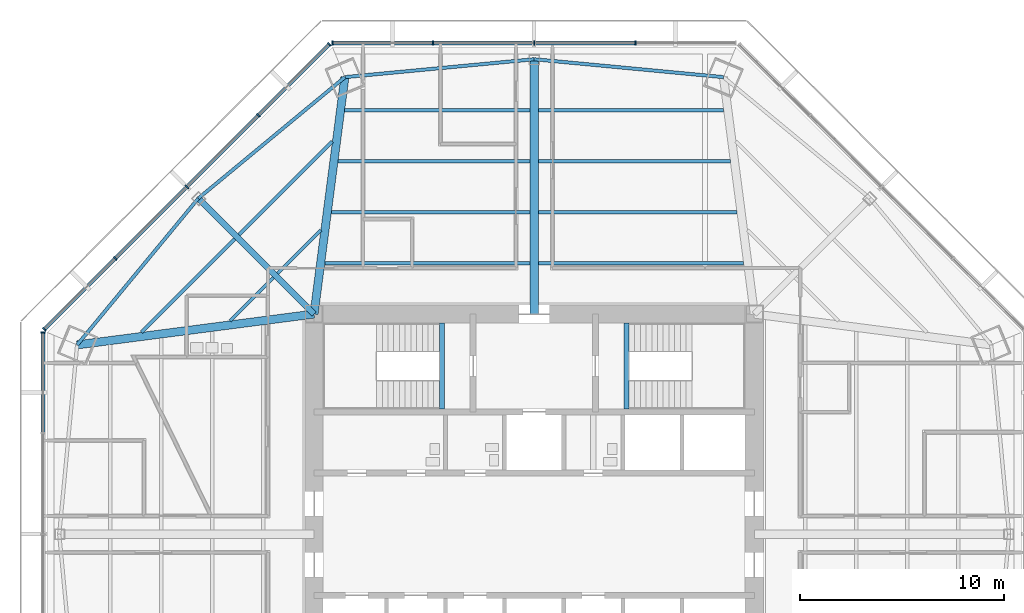
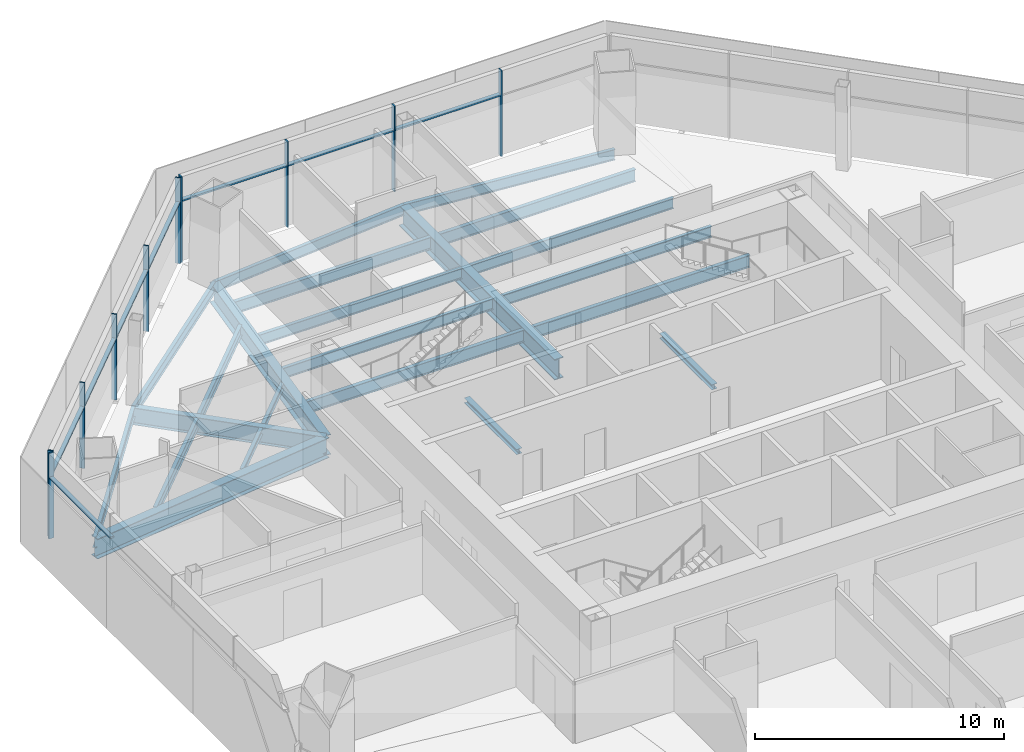
# One storey, part 5 of 14: 22 beams, 18 members, 3 elements without a shape of their own.
"""IFC4 building model written with IfcOpenShell, lengths in metres."""

from ifc_helpers import new_model, si_unit, direction, frame, origin, origin_2d, place, context, subcontext, project, spatial, rectangle, i_section, extrude, source, transform, mapped, material, material_profile, profile_set, type_object, type_shapes, element, aggregate, save


model = new_model("IFC4")

# Units and contexts
model_context = context("Model", 3, precision=1e-05, world=origin(), true_north=direction((0.0, 1.0)))
body_context = subcontext(model_context, "Body", "Model", "MODEL_VIEW")
ifc_project = project(units=[si_unit("LENGTHUNIT", "METRE"), si_unit("AREAUNIT", "SQUARE_METRE"), si_unit("VOLUMEUNIT", "CUBIC_METRE"), si_unit("PLANEANGLEUNIT", "RADIAN"), si_unit("MASSUNIT", "GRAM", prefix="KILO")], contexts=[model_context])

# Site, building, storey
site_placement = place(None, origin())
site = spatial("IfcSite", under=ifc_project, at=site_placement, CompositionType="ELEMENT")
building_placement = place(site_placement, origin())
building = spatial("IfcBuilding", under=site, at=building_placement, Name="Mashrafa Tower", CompositionType="ELEMENT")
storey_placement = place(building_placement, frame((0.0, 0.0, 138.60009765625)))
storey = spatial("IfcBuildingStorey", under=building, at=storey_placement, Name="L31", CompositionType="ELEMENT", Elevation=138.60009765625)

# Beams
ifc_material_1 = material(Name="Steel ASTM A992", Category="steel")
ifc_material_profile_1 = material_profile(ifc_material_1, i_section(OverallWidth=0.164794921875, OverallDepth=0.309814453125, WebThickness=0.005859375, FlangeThickness=0.009765625, FilletRadius=0.007568359375, at=origin_2d()), Name="W12X26")
ifc_profile_set_1 = profile_set([ifc_material_profile_1], Name="Steel ASTM A992")
beam_type_1 = type_object("IfcBeamType", Name="Beam W12X26", PredefinedType="BEAM", material=ifc_profile_set_1)
for number, where, z_axis, x_axis, name in (
    (1, (-14.916748046875, 10.46630859375, -0.320068359375), (0.707106781187, 0.707106781187, 0.0), (-0.707106781187, 0.707106781187, 0.0), "Floor beam L31 008"),
    (2, (-12.588134765625, 12.794921875, -0.320068359375), (0.707106781187, 0.707106781187, 0.0), (-0.707106781187, 0.707106781187, 0.0), "Floor beam L31 014"),
):
    element("IfcBeam", number, at=place(storey_placement, frame(where, z_axis=z_axis, x_axis=x_axis)), inside=storey, type_object=beam_type_1, Name=name, PredefinedType="BEAM", context=body_context, shape_type="SweptSolid", body=[
        extrude(i_section(OverallWidth=0.164794921875, OverallDepth=0.309814453125, WebThickness=0.005859375, FlangeThickness=0.009765625, FilletRadius=0.007568359375, at=origin_2d()), origin(), (0.0, 0.0, 1.0), 3.000732421875),
    ])
ifc_material_2 = material(Name="Steel ASTM A992", Category="steel")
ifc_material_profile_2 = material_profile(ifc_material_2, i_section(OverallWidth=0.1650390625, OverallDepth=0.52587890625, WebThickness=0.0087890625, FlangeThickness=0.011474609375, FilletRadius=0.0126953125, at=origin_2d()), Name="W21X44")
ifc_profile_set_2 = profile_set([ifc_material_profile_2], Name="Steel ASTM A992")
beam_type_2 = type_object("IfcBeamType", Name="Beam W21X44", PredefinedType="BEAM", material=ifc_profile_set_2)
for number, where, z_axis, x_axis, name in (
    (3, (-19.266357421875, 9.89990234375, -0.427978515625), (0.707125627567, 0.707087934304, 0.0), (-0.707087934304, 0.707125627567, 0.0), "Floor beam L31 003"),
    (4, (-14.479736328125, 14.686279296875, -0.427978515625), (0.707087934304, 0.707125627567, 0.0), (-0.707125627567, 0.707087934304, 0.0), "Floor beam L31 010"),
):
    element("IfcBeam", number, at=place(storey_placement, frame(where, z_axis=z_axis, x_axis=x_axis)), inside=storey, type_object=beam_type_2, Name=name, PredefinedType="BEAM", context=body_context, shape_type="SweptSolid", body=[
        extrude(i_section(OverallWidth=0.1650390625, OverallDepth=0.52587890625, WebThickness=0.0087890625, FlangeThickness=0.011474609375, FilletRadius=0.0126953125, at=origin_2d()), origin(), (0.0, 0.0, 1.0), 6.47705078125),
    ])
beam_1_placement = place(storey_placement, frame((-9.946533203125, 15.79931640625, -0.427978515625), z_axis=(1.0, 0.0, 0.0), x_axis=(0.0, 1.0, 0.0)))
element("IfcBeam", 5, at=beam_1_placement, inside=storey, type_object=beam_type_2, Name="Floor beam L31 017", PredefinedType="BEAM", context=body_context, shape_type="SweptSolid", body=[
    extrude(i_section(OverallWidth=0.1650390625, OverallDepth=0.52587890625, WebThickness=0.0087890625, FlangeThickness=0.011474609375, FilletRadius=0.0126953125, at=origin_2d()), origin(), (0.0, 0.0, 1.0), 9.745849609375),
])
beam_2_placement = place(storey_placement, frame((-9.62109375, 18.29931640625, -0.427978515625), z_axis=(1.0, 0.0, 0.0), x_axis=(0.0, 1.0, 0.0)))
element("IfcBeam", 6, at=beam_2_placement, inside=storey, type_object=beam_type_2, Name="Floor beam L31 018", PredefinedType="BEAM", context=body_context, shape_type="SweptSolid", body=[
    extrude(i_section(OverallWidth=0.1650390625, OverallDepth=0.52587890625, WebThickness=0.0087890625, FlangeThickness=0.011474609375, FilletRadius=0.0126953125, at=origin_2d()), origin(), (0.0, 0.0, 1.0), 9.42041015625),
])
beam_3_placement = place(storey_placement, frame((0.20068359375, 15.79931640625, -0.427978515625), z_axis=(1.0, 0.0, 0.0), x_axis=(0.0, 1.0, 0.0)))
element("IfcBeam", 7, at=beam_3_placement, inside=storey, type_object=beam_type_2, Name="Floor beam L31 026", PredefinedType="BEAM", context=body_context, shape_type="SweptSolid", body=[
    extrude(i_section(OverallWidth=0.1650390625, OverallDepth=0.52587890625, WebThickness=0.0087890625, FlangeThickness=0.011474609375, FilletRadius=0.0126953125, at=origin_2d()), origin(), (0.0, 0.0, 1.0), 9.745849609375),
])
beam_4_placement = place(storey_placement, frame((0.20068359375, 18.29931640625, -0.427978515625), z_axis=(1.0, 0.0, 0.0), x_axis=(0.0, 1.0, 0.0)))
element("IfcBeam", 8, at=beam_4_placement, inside=storey, type_object=beam_type_2, Name="Floor beam L31 027", PredefinedType="BEAM", context=body_context, shape_type="SweptSolid", body=[
    extrude(i_section(OverallWidth=0.1650390625, OverallDepth=0.52587890625, WebThickness=0.0087890625, FlangeThickness=0.011474609375, FilletRadius=0.0126953125, at=origin_2d()), origin(), (0.0, 0.0, 1.0), 9.42041015625),
])
for number, where, z_axis, x_axis, name in (
    (9, (-16.474609375, 16.474609375, -0.427978515625), (-0.637397366849, -0.770535266379, 0.0), (0.770535266379, -0.637397366849, 0.0), "Spandrel beam L31 069"),
    (10, (-9.286865234375, 22.42041015625, -0.427978515625), (-0.770535266379, -0.637397366849, 0.0), (0.637397366849, -0.770535266379, 0.0), "Spandrel beam L31 071"),
    (11, (0.0, 23.298583984375, -0.427978515625), (-0.995558884678, -0.094140889829, 0.0), (0.094140889829, -0.995558884678, 0.0), "Spandrel beam L31 073"),
    (12, (9.286865234375, 22.42041015625, -0.427978515625), (-0.995558884678, 0.094140889829, 0.0), (-0.094140889829, -0.995558884678, 0.0), "Spandrel beam L31 075"),
):
    element("IfcBeam", number, at=place(storey_placement, frame(where, z_axis=z_axis, x_axis=x_axis)), inside=storey, type_object=beam_type_2, Name=name, PredefinedType="BEAM", context=body_context, shape_type="SweptSolid", body=[
        extrude(i_section(OverallWidth=0.1650390625, OverallDepth=0.52587890625, WebThickness=0.0087890625, FlangeThickness=0.011474609375, FilletRadius=0.0126953125, at=origin_2d()), origin(), (0.0, 0.0, 1.0), 9.328369140625),
    ])
ifc_material_3 = material(Name="Steel ASTM A992", Category="steel")
ifc_material_profile_3 = material_profile(ifc_material_3, i_section(OverallWidth=0.177978515625, OverallDepth=0.599365234375, WebThickness=0.010009765625, FlangeThickness=0.012939453125, FilletRadius=0.012939453125, at=origin_2d()), Name="W24X55")
ifc_profile_set_3 = profile_set([ifc_material_profile_3], Name="Steel ASTM A992")
beam_type_3 = type_object("IfcBeamType", Name="Beam W24X55", PredefinedType="BEAM", material=ifc_profile_set_3)
beam_5_placement = place(storey_placement, frame((-10.272216796875, 13.2998046875, -0.46484375), z_axis=(1.0, 0.0, 0.0), x_axis=(0.0, 1.0, 0.0)))
element("IfcBeam", 13, at=beam_5_placement, inside=storey, type_object=beam_type_3, Name="Floor beam L31 015", PredefinedType="BEAM", context=body_context, shape_type="SweptSolid", body=[
    extrude(i_section(OverallWidth=0.177978515625, OverallDepth=0.599365234375, WebThickness=0.010009765625, FlangeThickness=0.012939453125, FilletRadius=0.012939453125, at=origin_2d()), origin(), (0.0, 0.0, 1.0), 10.071533203125),
])
beam_6_placement = place(storey_placement, frame((-9.295654296875, 20.798828125, -0.46484375), z_axis=(1.0, 0.0, 0.0), x_axis=(0.0, 1.0, 0.0)))
element("IfcBeam", 14, at=beam_6_placement, inside=storey, type_object=beam_type_3, Name="Floor beam L31 020", PredefinedType="BEAM", context=body_context, shape_type="SweptSolid", body=[
    extrude(i_section(OverallWidth=0.177978515625, OverallDepth=0.599365234375, WebThickness=0.010009765625, FlangeThickness=0.012939453125, FilletRadius=0.012939453125, at=origin_2d()), origin(), (0.0, 0.0, 1.0), 9.094970703125),
])
beam_7_placement = place(storey_placement, frame((0.20068359375, 13.2998046875, -0.46484375), z_axis=(1.0, 0.0, 0.0), x_axis=(0.0, 1.0, 0.0)))
element("IfcBeam", 15, at=beam_7_placement, inside=storey, type_object=beam_type_3, Name="Floor beam L31 025", PredefinedType="BEAM", context=body_context, shape_type="SweptSolid", body=[
    extrude(i_section(OverallWidth=0.177978515625, OverallDepth=0.599365234375, WebThickness=0.010009765625, FlangeThickness=0.012939453125, FilletRadius=0.012939453125, at=origin_2d()), origin(), (0.0, 0.0, 1.0), 10.071533203125),
])
beam_8_placement = place(storey_placement, frame((0.20068359375, 20.798828125, -0.46484375), z_axis=(1.0, 0.0, 0.0), x_axis=(0.0, 1.0, 0.0)))
element("IfcBeam", 16, at=beam_8_placement, inside=storey, type_object=beam_type_3, Name="Floor beam L31 028", PredefinedType="BEAM", context=body_context, shape_type="SweptSolid", body=[
    extrude(i_section(OverallWidth=0.177978515625, OverallDepth=0.599365234375, WebThickness=0.010009765625, FlangeThickness=0.012939453125, FilletRadius=0.012939453125, at=origin_2d()), origin(), (0.0, 0.0, 1.0), 9.094970703125),
])
ifc_material_4 = material(Name="Steel ASTM A992", Category="steel")
ifc_material_profile_4 = material_profile(ifc_material_4, i_section(OverallWidth=0.2919921875, OverallDepth=0.8408203125, WebThickness=0.0146484375, FlangeThickness=0.021728515625, FilletRadius=0.017333984375, at=origin_2d()), Name="W33X130")
ifc_profile_set_4 = profile_set([ifc_material_profile_4], Name="Steel ASTM A992")
beam_type_4 = type_object("IfcBeamType", Name="Beam W33X130", PredefinedType="BEAM", material=ifc_profile_set_4)
beam_9_placement = place(storey_placement, frame((-10.800048828125, 10.800048828125, -0.58544921875), z_axis=(-0.707106781187, 0.707106781187, 0.0), x_axis=(-0.707106781187, -0.707106781187, 0.0)))
element("IfcBeam", 17, at=beam_9_placement, inside=storey, type_object=beam_type_4, Name="Radial girder L31 054", PredefinedType="BEAM", context=body_context, shape_type="SweptSolid", body=[
    extrude(i_section(OverallWidth=0.2919921875, OverallDepth=0.8408203125, WebThickness=0.0146484375, FlangeThickness=0.021728515625, FilletRadius=0.017333984375, at=origin_2d()), origin(), (0.0, 0.0, 1.0), 8.025146484375),
])
ifc_material_5 = material(Name="Steel ASTM A992", Category="steel")
ifc_material_profile_5 = material_profile(ifc_material_5, i_section(OverallWidth=0.4013671875, OverallDepth=0.98291015625, WebThickness=0.0166015625, FlangeThickness=0.027099609375, FilletRadius=0.0126953125, at=origin_2d()), Name="W40X199")
ifc_profile_set_5 = profile_set([ifc_material_profile_5], Name="Steel ASTM A992")
beam_type_5 = type_object("IfcBeamType", Name="Beam W40X199", PredefinedType="BEAM", material=ifc_profile_set_5)
for number, where, z_axis, x_axis, name in (
    (18, (-10.800048828125, 10.800048828125, -0.656494140625), (-0.991627921906, -0.129128093367, 0.0), (0.129128093367, -0.991627921906, 0.0), "Radial girder L31 053"),
    (19, (-10.800048828125, 10.800048828125, -0.656494140625), (0.129128093367, 0.991627921906, 0.0), (-0.991627921906, 0.129128093367, 0.0), "Radial girder L31 055"),
):
    element("IfcBeam", number, at=place(storey_placement, frame(where, z_axis=z_axis, x_axis=x_axis)), inside=storey, type_object=beam_type_5, Name=name, PredefinedType="BEAM", context=body_context, shape_type="SweptSolid", body=[
        extrude(i_section(OverallWidth=0.4013671875, OverallDepth=0.98291015625, WebThickness=0.0166015625, FlangeThickness=0.027099609375, FilletRadius=0.0126953125, at=origin_2d()), origin(), (0.0, 0.0, 1.0), 11.718505859375),
    ])
ifc_material_6 = material(Name="Steel ASTM A992", Category="steel")
ifc_material_profile_6 = material_profile(ifc_material_6, i_section(OverallWidth=0.4013671875, OverallDepth=1.010986328125, WebThickness=0.023681640625, FlangeThickness=0.0419921875, FilletRadius=0.02001953125, at=origin_2d()), Name="W40X297")
ifc_profile_set_6 = profile_set([ifc_material_profile_6], Name="Steel ASTM A992")
beam_type_6 = type_object("IfcBeamType", Name="Beam W40X297", PredefinedType="BEAM", material=ifc_profile_set_6)
beam_10_placement = place(storey_placement, frame((0.0, 10.800048828125, -0.670654296875), z_axis=(0.0, 1.0, 0.0), x_axis=(-1.0, 0.0, 0.0)))
element("IfcBeam", 20, at=beam_10_placement, inside=storey, type_object=beam_type_6, Name="Radial girder L31 057", PredefinedType="BEAM", context=body_context, shape_type="SweptSolid", body=[
    extrude(i_section(OverallWidth=0.4013671875, OverallDepth=1.010986328125, WebThickness=0.023681640625, FlangeThickness=0.0419921875, FilletRadius=0.02001953125, at=origin_2d()), origin(), (0.0, 0.0, 1.0), 12.49853515625),
])
ifc_material_7 = material(Name="Steel ASTM A992", Category="steel")
ifc_material_profile_7 = material_profile(ifc_material_7, i_section(OverallWidth=0.25390625, OverallDepth=0.25390625, WebThickness=0.008544921875, FlangeThickness=0.01416015625, FilletRadius=0.010009765625, at=origin_2d()), Name="W10X49")
ifc_profile_set_7 = profile_set([ifc_material_profile_7], Name="Steel ASTM A992")
beam_type_7 = type_object("IfcBeamType", Name="Hoistway beam W10X49", PredefinedType="BEAM", material=ifc_profile_set_7)
for number, where, z_axis, x_axis, name in (
    (21, (-4.530029296875, 6.14990234375, -0.3271484375), (0.0, 1.0, 0.0), (-1.0, 0.0, 0.0), "Stair S1 landing beam L31"),
    (22, (4.530029296875, 6.14990234375, -0.3271484375), (0.0, 1.0, 0.0), (-1.0, 0.0, 0.0), "Stair S2 landing beam L31"),
):
    element("IfcBeam", number, at=place(storey_placement, frame(where, z_axis=z_axis, x_axis=x_axis)), inside=storey, type_object=beam_type_7, Name=name, PredefinedType="BEAM", context=body_context, shape_type="SweptSolid", body=[
        extrude(i_section(OverallWidth=0.25390625, OverallDepth=0.25390625, WebThickness=0.008544921875, FlangeThickness=0.01416015625, FilletRadius=0.010009765625, at=origin_2d()), origin(), (0.0, 0.0, 1.0), 4.2001953125),
    ])

# Curtain wall, members
ifc_material_8 = material(Name="Unitised aluminium curtain wall", Category="aluminium")
curtain_wall_type = type_object("IfcCurtainWallType", Name="Office curtain wall, zone 2 CW-B 225 deep", PredefinedType="NOTDEFINED", material=ifc_material_8)
curtain_wall_1_placement = place(storey_placement, origin())
curtain_wall_1 = element("IfcCurtainWall", 23, at=curtain_wall_1_placement, inside=storey, type_object=curtain_wall_type, Name="Office curtain wall, zone 2 L31 north", PredefinedType="NOTDEFINED")
ifc_material_9 = material(Name="Extruded aluminium mullion", Category="aluminium")
ifc_material_profile_8 = material_profile(ifc_material_9, rectangle(XDim=0.22509765625, YDim=0.06494140625, at=origin_2d()), Name="Mullion 65x225")
ifc_profile_set_8 = profile_set([ifc_material_profile_8], Name="Extruded aluminium mullion")
member_type_1 = type_object("IfcMemberType", Name="Mullion CW-B 65 x 225", PredefinedType="MULLION", material=ifc_profile_set_8)
shared_shape_1 = source(origin(), body_context, "Body", "SweptSolid", [
    extrude(rectangle(XDim=0.22509765625, YDim=0.06494140625, at=origin_2d()), origin(), (0.0, 0.0, 1.0), 4.199951171875),
])
type_shapes(member_type_1, [shared_shape_1])
member_1_placement = place(storey_placement, frame((4.961669921875, 24.093994140625, 0.0), z_axis=(0.0, 0.0, 1.0), x_axis=(0.0, -1.0, 0.0)))
member_1 = element("IfcMember", 24, at=member_1_placement, type_object=member_type_1, Name="CW-B mullion 2", PredefinedType="MULLION", context=body_context, shape_type="MappedRepresentation", body=[
    mapped(shared_shape_1, transform((0.0, 0.0, 0.0))),
])
member_2_placement = place(storey_placement, frame((0.0, 24.093994140625, 0.0), z_axis=(0.0, 0.0, 1.0), x_axis=(0.0, -1.0, 0.0)))
member_2 = element("IfcMember", 25, at=member_2_placement, type_object=member_type_1, Name="CW-B mullion 3", PredefinedType="MULLION", context=body_context, shape_type="MappedRepresentation", body=[
    mapped(shared_shape_1, transform((0.0, 0.0, 0.0))),
])
member_3_placement = place(storey_placement, frame((-4.961669921875, 24.093994140625, 0.0), z_axis=(0.0, 0.0, 1.0), x_axis=(0.0, -1.0, 0.0)))
member_3 = element("IfcMember", 26, at=member_3_placement, type_object=member_type_1, Name="CW-B mullion 4", PredefinedType="MULLION", context=body_context, shape_type="MappedRepresentation", body=[
    mapped(shared_shape_1, transform((0.0, 0.0, 0.0))),
])
member_4_placement = place(storey_placement, frame((-9.890869140625, 24.093994140625, 0.0), z_axis=(0.0, 0.0, 1.0), x_axis=(0.0, -1.0, 0.0)))
member_4 = element("IfcMember", 27, at=member_4_placement, type_object=member_type_1, Name="CW-B mullion 5", PredefinedType="MULLION", context=body_context, shape_type="MappedRepresentation", body=[
    mapped(shared_shape_1, transform((0.0, 0.0, 0.0))),
])

curtain_wall_2_placement = place(storey_placement, origin())
curtain_wall_2 = element("IfcCurtainWall", 28, at=curtain_wall_2_placement, inside=storey, type_object=curtain_wall_type, Name="Office curtain wall, zone 2 L31 north-west", PredefinedType="NOTDEFINED")
member_5_placement = place(storey_placement, frame((-10.04296875, 24.031005859375, 0.0), z_axis=(0.0, 0.0, 1.0), x_axis=(0.707106781187, -0.707106781187, 0.0)))
member_5 = element("IfcMember", 29, at=member_5_placement, type_object=member_type_1, Name="CW-B mullion 1", PredefinedType="MULLION", context=body_context, shape_type="MappedRepresentation", body=[
    mapped(shared_shape_1, transform((0.0, 0.0, 0.0))),
])
member_6_placement = place(storey_placement, frame((-13.528564453125, 20.54541015625, 0.0), z_axis=(0.0, 0.0, 1.0), x_axis=(0.707106781187, -0.707106781187, 0.0)))
member_6 = element("IfcMember", 30, at=member_6_placement, type_object=member_type_1, Name="CW-B mullion 2", PredefinedType="MULLION", context=body_context, shape_type="MappedRepresentation", body=[
    mapped(shared_shape_1, transform((0.0, 0.0, 0.0))),
])
member_7_placement = place(storey_placement, frame((-17.036865234375, 17.036865234375, 0.0), z_axis=(0.0, 0.0, 1.0), x_axis=(0.707106781187, -0.707106781187, 0.0)))
member_7 = element("IfcMember", 31, at=member_7_placement, type_object=member_type_1, Name="CW-B mullion 3", PredefinedType="MULLION", context=body_context, shape_type="MappedRepresentation", body=[
    mapped(shared_shape_1, transform((0.0, 0.0, 0.0))),
])
member_8_placement = place(storey_placement, frame((-20.54541015625, 13.528564453125, 0.0), z_axis=(0.0, 0.0, 1.0), x_axis=(0.707106781187, -0.707106781187, 0.0)))
member_8 = element("IfcMember", 32, at=member_8_placement, type_object=member_type_1, Name="CW-B mullion 4", PredefinedType="MULLION", context=body_context, shape_type="MappedRepresentation", body=[
    mapped(shared_shape_1, transform((0.0, 0.0, 0.0))),
])
member_9_placement = place(storey_placement, frame((-24.031005859375, 10.04296875, 0.0), z_axis=(0.0, 0.0, 1.0), x_axis=(0.707106781187, -0.707106781187, 0.0)))
member_9 = element("IfcMember", 33, at=member_9_placement, type_object=member_type_1, Name="CW-B mullion 5", PredefinedType="MULLION", context=body_context, shape_type="MappedRepresentation", body=[
    mapped(shared_shape_1, transform((0.0, 0.0, 0.0))),
])

# Curtain wall, member
curtain_wall_3_placement = place(storey_placement, origin())
curtain_wall_3 = element("IfcCurtainWall", 34, at=curtain_wall_3_placement, inside=storey, type_object=curtain_wall_type, Name="Office curtain wall, zone 2 L31 west", PredefinedType="NOTDEFINED")
member_10_placement = place(storey_placement, frame((-24.093994140625, 9.890869140625, 0.0), z_axis=(0.0, 0.0, 1.0), x_axis=(1.0, 0.0, 0.0)))
member_10 = element("IfcMember", 35, at=member_10_placement, type_object=member_type_1, Name="CW-B mullion 1", PredefinedType="MULLION", context=body_context, shape_type="MappedRepresentation", body=[
    mapped(shared_shape_1, transform((0.0, 0.0, 0.0))),
])

# Member
ifc_material_10 = material(Name="Extruded aluminium transom", Category="aluminium")
ifc_material_profile_9 = material_profile(ifc_material_10, rectangle(XDim=0.179931640625, YDim=0.080078125, at=origin_2d()), Name="Transom 80x180")
ifc_profile_set_9 = profile_set([ifc_material_profile_9], Name="Extruded aluminium transom")
member_type_2 = type_object("IfcMemberType", Name="Transom CW-B 80 x 180", PredefinedType="MULLION", material=ifc_profile_set_9)
shared_shape_2 = source(origin(), body_context, "Body", "SweptSolid", [
    extrude(rectangle(XDim=0.179931640625, YDim=0.080078125, at=origin_2d()), origin(), (0.0, 0.0, 1.0), 4.8642578125),
])
member_11_placement = place(storey_placement, frame((-4.994140625, 24.093994140625, 3.0), z_axis=(-1.0, 0.0, 0.0), x_axis=(0.0, -1.0, 0.0)))
member_11 = element("IfcMember", 36, at=member_11_placement, type_object=member_type_2, Name="CW-B transom 4", PredefinedType="MULLION", context=body_context, shape_type="MappedRepresentation", body=[
    mapped(shared_shape_2, transform((0.0, 0.0, 0.0))),
])

member_12_placement = place(storey_placement, frame((-10.06591796875, 24.0078125, 3.0), z_axis=(-0.707131875917, -0.707081685565, 0.0), x_axis=(0.707081685565, -0.707131875917, 0.0)))
member_12 = element("IfcMember", 37, at=member_12_placement, type_object=member_type_2, Name="CW-B transom 1", PredefinedType="MULLION", context=body_context, shape_type="MappedRepresentation", body=[
    mapped(shared_shape_2, transform((0.0, 0.0, 0.0))),
])

member_13_placement = place(storey_placement, frame((-20.568359375, 13.505615234375, 3.0), z_axis=(-0.707081685565, -0.707131875917, 0.0), x_axis=(0.707131875917, -0.707081685565, 0.0)))
member_13 = element("IfcMember", 38, at=member_13_placement, type_object=member_type_2, Name="CW-B transom 4", PredefinedType="MULLION", context=body_context, shape_type="MappedRepresentation", body=[
    mapped(shared_shape_2, transform((0.0, 0.0, 0.0))),
])

member_14_placement = place(storey_placement, frame((-24.093994140625, 9.8583984375, 3.0), z_axis=(0.0, -1.0, 0.0), x_axis=(1.0, 0.0, 0.0)))
member_14 = element("IfcMember", 39, at=member_14_placement, type_object=member_type_2, Name="CW-B transom 1", PredefinedType="MULLION", context=body_context, shape_type="MappedRepresentation", body=[
    mapped(shared_shape_2, transform((0.0, 0.0, 0.0))),
])

aggregate(curtain_wall_3, [member_10, member_14])

shared_shape_3 = source(origin(), body_context, "Body", "SweptSolid", [
    extrude(rectangle(XDim=0.179931640625, YDim=0.080078125, at=origin_2d()), origin(), (0.0, 0.0, 1.0), 4.896728515625),
])
member_15_placement = place(storey_placement, frame((4.92919921875, 24.093994140625, 3.0), z_axis=(-1.0, 0.0, 0.0), x_axis=(0.0, -1.0, 0.0)))
member_15 = element("IfcMember", 40, at=member_15_placement, type_object=member_type_2, Name="CW-B transom 2", PredefinedType="MULLION", context=body_context, shape_type="MappedRepresentation", body=[
    mapped(shared_shape_3, transform((0.0, 0.0, 0.0))),
])

member_16_placement = place(storey_placement, frame((-0.032470703125, 24.093994140625, 3.0), z_axis=(-1.0, 0.0, 0.0), x_axis=(0.0, -1.0, 0.0)))
member_16 = element("IfcMember", 41, at=member_16_placement, type_object=member_type_2, Name="CW-B transom 3", PredefinedType="MULLION", context=body_context, shape_type="MappedRepresentation", body=[
    mapped(shared_shape_3, transform((0.0, 0.0, 0.0))),
])

aggregate(curtain_wall_1, [member_1, member_2, member_3, member_4, member_15, member_16, member_11])

shared_shape_4 = source(origin(), body_context, "Body", "SweptSolid", [
    extrude(rectangle(XDim=0.179931640625, YDim=0.080078125, at=origin_2d()), origin(), (0.0, 0.0, 1.0), 4.896484375),
])
type_shapes(member_type_2, [shared_shape_2, shared_shape_3, shared_shape_4])
member_17_placement = place(storey_placement, frame((-13.551513671875, 20.5224609375, 3.0), z_axis=(-0.707106781187, -0.707106781187, 0.0), x_axis=(0.707106781187, -0.707106781187, 0.0)))
member_17 = element("IfcMember", 42, at=member_17_placement, type_object=member_type_2, Name="CW-B transom 2", PredefinedType="MULLION", context=body_context, shape_type="MappedRepresentation", body=[
    mapped(shared_shape_4, transform((0.0, 0.0, 0.0))),
])

member_18_placement = place(storey_placement, frame((-17.06005859375, 17.013916015625, 3.0), z_axis=(-0.707106781187, -0.707106781187, 0.0), x_axis=(0.707106781187, -0.707106781187, 0.0)))
member_18 = element("IfcMember", 43, at=member_18_placement, type_object=member_type_2, Name="CW-B transom 3", PredefinedType="MULLION", context=body_context, shape_type="MappedRepresentation", body=[
    mapped(shared_shape_4, transform((0.0, 0.0, 0.0))),
])

aggregate(curtain_wall_2, [member_5, member_6, member_7, member_8, member_9, member_12, member_17, member_18, member_13])

save(model, "model.ifc")
